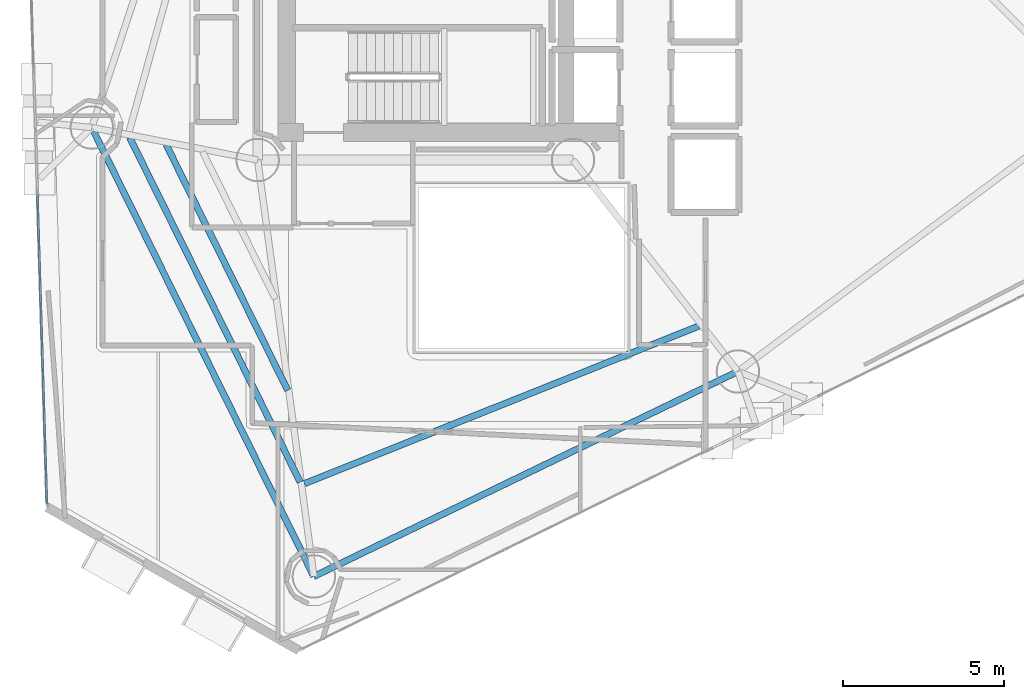
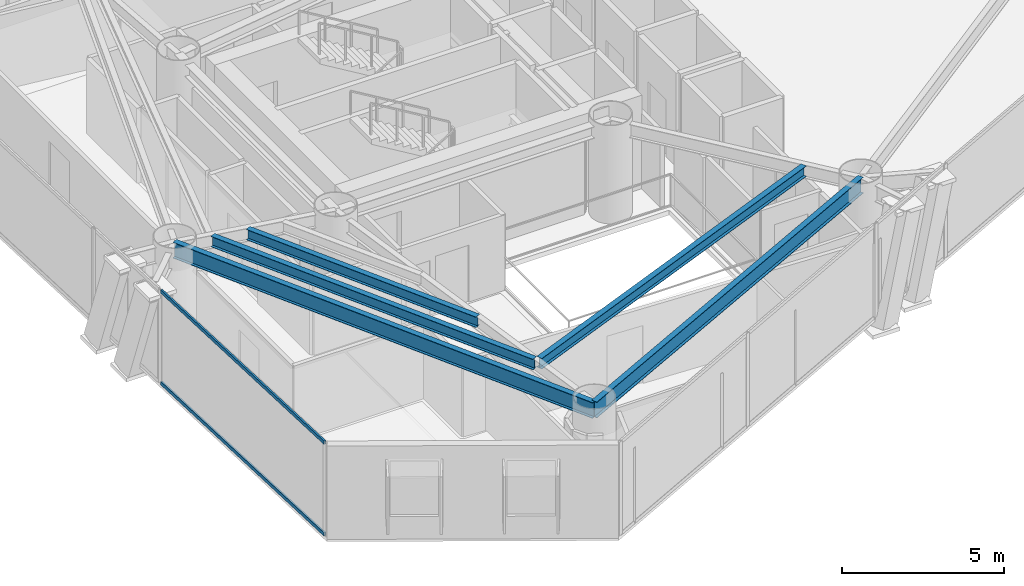
# One storey, part 3 of 23: 5 beams, 2 members, 1 element without a shape of its own.
"""IFC4 building model written with IfcOpenShell, lengths in metres."""

from ifc_helpers import new_model, si_unit, direction, frame, origin, origin_2d, place, context, subcontext, project, spatial, hollow_rectangle, i_section, extrude, material, layer, layer_set, material_profile, profile_set, type_object, element, aggregate, save


model = new_model("IFC4")

# Units and contexts
model_context = context("Model", 3, precision=1e-05, world=origin(), true_north=direction((0.0, 1.0)))
body_context = subcontext(model_context, "Body", "Model", "MODEL_VIEW")
ifc_project = project(units=[si_unit("LENGTHUNIT", "METRE"), si_unit("AREAUNIT", "SQUARE_METRE"), si_unit("VOLUMEUNIT", "CUBIC_METRE"), si_unit("PLANEANGLEUNIT", "RADIAN"), si_unit("MASSUNIT", "GRAM", prefix="KILO")], contexts=[model_context])

# Site, building, storey
site_placement = place(None, origin())
site = spatial("IfcSite", under=ifc_project, at=site_placement, CompositionType="ELEMENT")
building_placement = place(site_placement, origin())
building = spatial("IfcBuilding", under=site, at=building_placement, Name="Qianvela Tower", CompositionType="ELEMENT")
storey_placement = place(building_placement, frame((0.0, 0.0, 162.39990234375)))
storey = spatial("IfcBuildingStorey", under=building, at=storey_placement, Name="L41", CompositionType="ELEMENT", Elevation=162.39990234375)

# Beams
ifc_material_1 = material(Name="Steel Q355B", Category="steel")
ifc_material_profile_1 = material_profile(ifc_material_1, i_section(OverallWidth=0.199951171875, OverallDepth=0.39990234375, WebThickness=0.008056640625, FlangeThickness=0.012939453125, at=origin_2d()), Name="HN400x200x8x13")
ifc_profile_set_1 = profile_set([ifc_material_profile_1], Name="Steel Q355B")
beam_type_1 = type_object("IfcBeamType", Name="BM-HN400-JOIST", PredefinedType="JOIST", material=ifc_profile_set_1)
beam_1_placement = place(storey_placement, frame((25.75634765625, 24.3291015625, 3.318115234375), z_axis=(0.443417285282, -0.896315296708, 0.0), x_axis=(0.896315296708, 0.443417285282, 0.0)))
element("IfcBeam", 1, at=beam_1_placement, inside=storey, type_object=beam_type_1, Name="L41 Secondary Composite Floor Joist 4.2", PredefinedType="JOIST", context=body_context, shape_type="SweptSolid", body=[
    extrude(i_section(OverallWidth=0.199951171875, OverallDepth=0.39990234375, WebThickness=0.008056640625, FlangeThickness=0.012939453125, at=origin_2d()), origin(), (0.0, 0.0, 1.0), 8.523681640625),
])
beam_2_placement = place(storey_placement, frame((24.622314453125, 24.551025390625, 3.318115234375), z_axis=(0.443417031377, -0.896315422318, 0.0), x_axis=(0.896315422318, 0.443417031377, 0.0)))
element("IfcBeam", 2, at=beam_2_placement, inside=storey, type_object=beam_type_1, Name="L41 Secondary Composite Floor Joist 4.3", PredefinedType="JOIST", context=body_context, shape_type="SweptSolid", body=[
    extrude(i_section(OverallWidth=0.199951171875, OverallDepth=0.39990234375, WebThickness=0.008056640625, FlangeThickness=0.012939453125, at=origin_2d()), origin(), (0.0, 0.0, 1.0), 11.94775390625),
])
beam_3_placement = place(storey_placement, frame((30.0517578125, 13.79150390625, 3.318115234375), z_axis=(0.928611849806, 0.371052600584, 0.0), x_axis=(-0.371052600584, 0.928611849806, 0.0)))
element("IfcBeam", 3, at=beam_3_placement, inside=storey, type_object=beam_type_1, Name="L41 Secondary Composite Floor Joist 5.3", PredefinedType="JOIST", context=body_context, shape_type="SweptSolid", body=[
    extrude(i_section(OverallWidth=0.199951171875, OverallDepth=0.39990234375, WebThickness=0.008056640625, FlangeThickness=0.012939453125, at=origin_2d()), origin(), (0.0, 0.0, 1.0), 13.19873046875),
])
ifc_material_2 = material(Name="Steel Q355B", Category="steel")
ifc_material_profile_2 = material_profile(ifc_material_2, i_section(OverallWidth=0.199951171875, OverallDepth=0.60009765625, WebThickness=0.010986328125, FlangeThickness=0.01708984375, at=origin_2d()), Name="HN600x200x11x17")
ifc_profile_set_2 = profile_set([ifc_material_profile_2], Name="Steel Q355B")
beam_type_2 = type_object("IfcBeamType", Name="BM-HN600-GIRD", PredefinedType="BEAM", material=ifc_profile_set_2)
beam_4_placement = place(storey_placement, frame((23.446044921875, 24.85888671875, 3.218017578125), z_axis=(0.443400805375, -0.896323449315, 0.0), x_axis=(0.896323449315, 0.443400805375, 0.0)))
element("IfcBeam", 4, at=beam_4_placement, inside=storey, type_object=beam_type_2, Name="L41 Perimeter Ring Spandrel Girder 4", PredefinedType="BEAM", context=body_context, shape_type="SweptSolid", body=[
    extrude(i_section(OverallWidth=0.199951171875, OverallDepth=0.60009765625, WebThickness=0.010986328125, FlangeThickness=0.01708984375, at=origin_2d()), origin(), (0.0, 0.0, 1.0), 15.5634765625),
])
beam_5_placement = place(storey_placement, frame((30.346923828125, 10.908935546875, 3.218017578125), z_axis=(0.900328583727, 0.435210801019, 0.0), x_axis=(-0.435210801019, 0.900328583727, 0.0)))
element("IfcBeam", 5, at=beam_5_placement, inside=storey, type_object=beam_type_2, Name="L41 Perimeter Ring Spandrel Girder 5", PredefinedType="BEAM", context=body_context, shape_type="SweptSolid", body=[
    extrude(i_section(OverallWidth=0.199951171875, OverallDepth=0.60009765625, WebThickness=0.010986328125, FlangeThickness=0.01708984375, at=origin_2d()), origin(), (0.0, 0.0, 1.0), 14.636962890625),
])

# Curtain wall, members
ifc_material_3 = material(Name="Anodised Architectural Aluminium and Low-E Glass", Category="aluminium")
ifc_layer = layer(ifc_material_3, 0.169921875)
ifc_layer_set = layer_set([ifc_layer], Name="Anodised Architectural Aluminium and Low-E Glass")
curtain_wall_type = type_object("IfcCurtainWallType", Name="CW-COLIV-Z34", PredefinedType="USERDEFINED", material=ifc_layer_set)
curtain_wall_placement = place(storey_placement, origin())
curtain_wall = element("IfcCurtainWall", 6, at=curtain_wall_placement, inside=storey, type_object=curtain_wall_type, Name="L41 CW-COLIV-Z34 Curtain Wall 04C", ObjectType="CURTAIN_WALL_SYSTEM", PredefinedType="USERDEFINED")
ifc_material_4 = material(Name="Anodised Architectural Aluminium 6063-T6", Category="aluminium")
ifc_material_profile_3 = material_profile(ifc_material_4, hollow_rectangle(XDim=0.06494140625, YDim=0.1298828125, WallThickness=0.00439453125, at=origin_2d()), Name="ALU-TRAN-65x130")
ifc_profile_set_3 = profile_set([ifc_material_profile_3], Name="Anodised Architectural Aluminium 6063-T6")
member_type = type_object("IfcMemberType", Name="CW-COLIV-Z34-TRAN", PredefinedType="USERDEFINED", material=ifc_profile_set_3)
member_1_placement = place(storey_placement, frame((21.758544921875, 22.75341796875, 0.03271484375), z_axis=(0.030712402483, -0.999528262899, 0.0), x_axis=(0.999528262899, 0.030712402483, 0.0)))
member_1 = element("IfcMember", 7, at=member_1_placement, type_object=member_type, Name="CW-4 transom 1.1", ObjectType="TRANSOM", PredefinedType="USERDEFINED", context=body_context, shape_type="SweptSolid", body=[
    extrude(hollow_rectangle(XDim=0.06494140625, YDim=0.1298828125, WallThickness=0.00439453125, at=origin_2d()), origin(), (0.0, 0.0, 1.0), 9.5869140625),
])
member_2_placement = place(storey_placement, frame((21.758544921875, 22.75341796875, 3.487548828125), z_axis=(0.030712402483, -0.999528262899, 0.0), x_axis=(0.999528262899, 0.030712402483, 0.0)))
member_2 = element("IfcMember", 8, at=member_2_placement, type_object=member_type, Name="CW-4 transom 1.2", ObjectType="TRANSOM", PredefinedType="USERDEFINED", context=body_context, shape_type="SweptSolid", body=[
    extrude(hollow_rectangle(XDim=0.06494140625, YDim=0.1298828125, WallThickness=0.00439453125, at=origin_2d()), origin(), (0.0, 0.0, 1.0), 9.5869140625),
])
aggregate(curtain_wall, [member_1, member_2])

save(model, "model.ifc")
